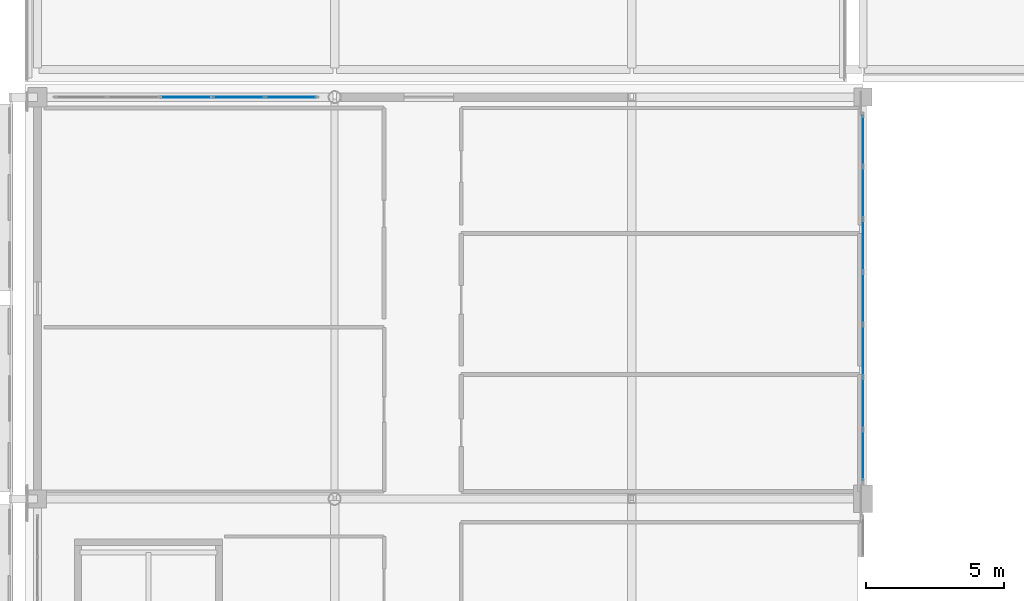
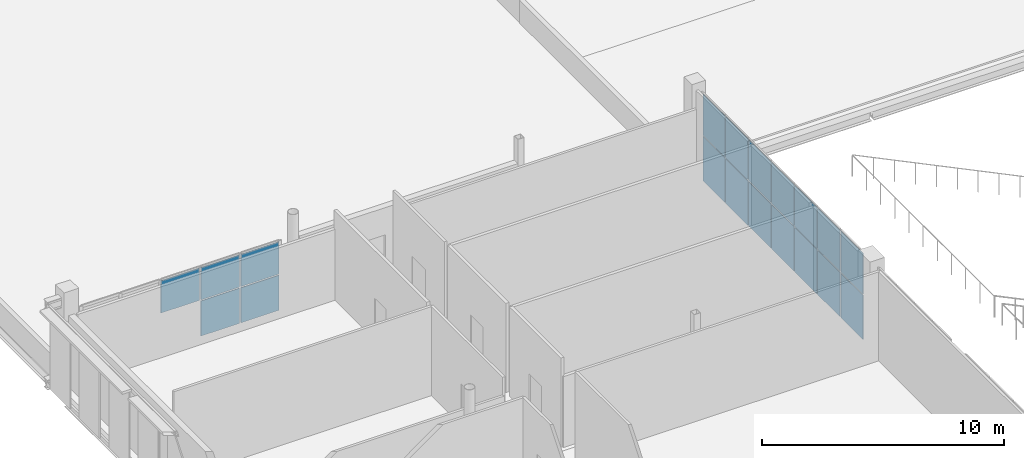
# One storey, part 56 of 104: 19 plates, 2 elements without a shape of their own.
"""IFC4 building model written with IfcOpenShell, lengths in metres."""

from ifc_helpers import new_model, si_unit, direction, frame, origin, origin_2d, place, context, subcontext, project, spatial, rectangle, extrude, material, layer, layer_set, type_object, element, aggregate, save


model = new_model("IFC4")

# Units and contexts
model_context = context("Model", 3, precision=1e-05, world=origin(), true_north=direction((0.0, 1.0)))
body_context = subcontext(model_context, "Body", "Model", "MODEL_VIEW")
ifc_project = project(units=[si_unit("LENGTHUNIT", "METRE"), si_unit("AREAUNIT", "SQUARE_METRE"), si_unit("VOLUMEUNIT", "CUBIC_METRE"), si_unit("PLANEANGLEUNIT", "RADIAN"), si_unit("MASSUNIT", "GRAM", prefix="KILO")], contexts=[model_context])

# Site, building, storey
site_placement = place(None, origin())
site = spatial("IfcSite", under=ifc_project, at=site_placement, CompositionType="ELEMENT")
building_placement = place(site_placement, origin())
building = spatial("IfcBuilding", under=site, at=building_placement, Name="Koshinbarg Plaza Stadium", CompositionType="ELEMENT")
storey_placement = place(building_placement, frame((0.0, 0.0, 19.800048828125)))
storey = spatial("IfcBuildingStorey", under=building, at=storey_placement, Name="L04", CompositionType="ELEMENT", Elevation=19.800048828125)

# Curtain wall, plates
ifc_material_1 = material(Name="Thermally broken anodised aluminium and low-E double glazing", Category="aluminium")
curtain_wall_type_1 = type_object("IfcCurtainWallType", Name="CW-SYS-02", PredefinedType="NOTDEFINED", material=ifc_material_1)
curtain_wall_1_placement = place(storey_placement, origin())
curtain_wall_1 = element("IfcCurtainWall", 1, at=curtain_wall_1_placement, inside=storey, type_object=curtain_wall_type_1, Name="L04 unitised curtain wall CW-L04-097", PredefinedType="NOTDEFINED")
ifc_material_2 = material(Name="Acoustic solar-control double glazing unit", Category="glass")
ifc_layer = layer(ifc_material_2, 0.031982421875)
ifc_layer_set = layer_set([ifc_layer], Name="Acoustic solar-control double glazing unit")
plate_type = type_object("IfcPlateType", Name="CW-PNL-32", PredefinedType="CURTAIN_PANEL", material=ifc_layer_set)
plate_1_placement = place(storey_placement, frame((30.0, 126.5, 1.8916015625), z_axis=(0.0, 0.0, 1.0), x_axis=(1.0, 0.0, 0.0)))
plate_1 = element("IfcPlate", 2, at=plate_1_placement, type_object=plate_type, Name="CW02 panel 3.2", PredefinedType="CURTAIN_PANEL", context=body_context, shape_type="SweptSolid", body=[
    extrude(rectangle(XDim=1.85205078125, YDim=0.031982421875, at=origin_2d()), origin(), (0.0, 0.0, 1.0), 1.62841796875),
])
plate_2_placement = place(storey_placement, frame((31.912109375, 126.5, 0.06005859375), z_axis=(0.0, 0.0, 1.0), x_axis=(1.0, 0.0, 0.0)))
plate_2 = element("IfcPlate", 3, at=plate_2_placement, type_object=plate_type, Name="CW02 panel 4.1", PredefinedType="CURTAIN_PANEL", context=body_context, shape_type="SweptSolid", body=[
    extrude(rectangle(XDim=1.85205078125, YDim=0.031982421875, at=origin_2d()), origin(), (0.0, 0.0, 1.0), 1.771484375),
])
plate_3_placement = place(storey_placement, frame((31.912109375, 126.5, 1.8916015625), z_axis=(0.0, 0.0, 1.0), x_axis=(1.0, 0.0, 0.0)))
plate_3 = element("IfcPlate", 4, at=plate_3_placement, type_object=plate_type, Name="CW02 panel 4.2", PredefinedType="CURTAIN_PANEL", context=body_context, shape_type="SweptSolid", body=[
    extrude(rectangle(XDim=1.85205078125, YDim=0.031982421875, at=origin_2d()), origin(), (0.0, 0.0, 1.0), 1.62841796875),
])
plate_4_placement = place(storey_placement, frame((33.80908203125, 126.5, 0.06005859375), z_axis=(0.0, 0.0, 1.0), x_axis=(1.0, 0.0, 0.0)))
plate_4 = element("IfcPlate", 5, at=plate_4_placement, type_object=plate_type, Name="CW02 panel 5.1", PredefinedType="CURTAIN_PANEL", context=body_context, shape_type="SweptSolid", body=[
    extrude(rectangle(XDim=1.822021484375, YDim=0.031982421875, at=origin_2d()), origin(), (0.0, 0.0, 1.0), 1.771484375),
])
plate_5_placement = place(storey_placement, frame((33.80908203125, 126.5, 1.8916015625), z_axis=(0.0, 0.0, 1.0), x_axis=(1.0, 0.0, 0.0)))
plate_5 = element("IfcPlate", 6, at=plate_5_placement, type_object=plate_type, Name="CW02 panel 5.2", PredefinedType="CURTAIN_PANEL", context=body_context, shape_type="SweptSolid", body=[
    extrude(rectangle(XDim=1.822021484375, YDim=0.031982421875, at=origin_2d()), origin(), (0.0, 0.0, 1.0), 1.62841796875),
])
aggregate(curtain_wall_1, [plate_1, plate_2, plate_3, plate_4, plate_5])

curtain_wall_type_2 = type_object("IfcCurtainWallType", Name="CW-SYS-16", PredefinedType="NOTDEFINED", material=ifc_material_1)
curtain_wall_2_placement = place(storey_placement, origin())
curtain_wall_2 = element("IfcCurtainWall", 7, at=curtain_wall_2_placement, inside=storey, type_object=curtain_wall_type_2, Name="L04 unitised curtain wall CW-L04-111", PredefinedType="NOTDEFINED")
plate_6_placement = place(storey_placement, frame((54.60009765625, 124.91064453125, 0.06005859375), z_axis=(0.0, 0.0, 1.0), x_axis=(0.0, -1.0, 0.0)))
plate_6 = element("IfcPlate", 8, at=plate_6_placement, type_object=plate_type, Name="CW16 panel 1.1", PredefinedType="CURTAIN_PANEL", context=body_context, shape_type="SweptSolid", body=[
    extrude(rectangle(XDim=1.818603515625, YDim=0.031982421875, at=origin_2d()), origin(), (0.0, 0.0, 1.0), 2.239501953125),
])
plate_7_placement = place(storey_placement, frame((54.60009765625, 124.91064453125, 2.359375), z_axis=(0.0, 0.0, 1.0), x_axis=(0.0, -1.0, 0.0)))
plate_7 = element("IfcPlate", 9, at=plate_7_placement, type_object=plate_type, Name="CW16 panel 1.2", PredefinedType="CURTAIN_PANEL", context=body_context, shape_type="SweptSolid", body=[
    extrude(rectangle(XDim=1.818603515625, YDim=0.031982421875, at=origin_2d()), origin(), (0.0, 0.0, 1.0), 2.060302734375),
])
plate_8_placement = place(storey_placement, frame((54.60009765625, 123.01708984375, 0.06005859375), z_axis=(0.0, 0.0, 1.0), x_axis=(0.0, -1.0, 0.0)))
plate_8 = element("IfcPlate", 10, at=plate_8_placement, type_object=plate_type, Name="CW16 panel 2.1", PredefinedType="CURTAIN_PANEL", context=body_context, shape_type="SweptSolid", body=[
    extrude(rectangle(XDim=1.8486328125, YDim=0.031982421875, at=origin_2d()), origin(), (0.0, 0.0, 1.0), 2.239501953125),
])
plate_9_placement = place(storey_placement, frame((54.60009765625, 123.01708984375, 2.359375), z_axis=(0.0, 0.0, 1.0), x_axis=(0.0, -1.0, 0.0)))
plate_9 = element("IfcPlate", 11, at=plate_9_placement, type_object=plate_type, Name="CW16 panel 2.2", PredefinedType="CURTAIN_PANEL", context=body_context, shape_type="SweptSolid", body=[
    extrude(rectangle(XDim=1.8486328125, YDim=0.031982421875, at=origin_2d()), origin(), (0.0, 0.0, 1.0), 2.060302734375),
])
plate_10_placement = place(storey_placement, frame((54.60009765625, 121.108642578125, 0.06005859375), z_axis=(0.0, 0.0, 1.0), x_axis=(0.0, -1.0, 0.0)))
plate_10 = element("IfcPlate", 12, at=plate_10_placement, type_object=plate_type, Name="CW16 panel 3.1", PredefinedType="CURTAIN_PANEL", context=body_context, shape_type="SweptSolid", body=[
    extrude(rectangle(XDim=1.8486328125, YDim=0.031982421875, at=origin_2d()), origin(), (0.0, 0.0, 1.0), 2.239501953125),
])
plate_11_placement = place(storey_placement, frame((54.60009765625, 121.108642578125, 2.359375), z_axis=(0.0, 0.0, 1.0), x_axis=(0.0, -1.0, 0.0)))
plate_11 = element("IfcPlate", 13, at=plate_11_placement, type_object=plate_type, Name="CW16 panel 3.2", PredefinedType="CURTAIN_PANEL", context=body_context, shape_type="SweptSolid", body=[
    extrude(rectangle(XDim=1.8486328125, YDim=0.031982421875, at=origin_2d()), origin(), (0.0, 0.0, 1.0), 2.060302734375),
])
plate_12_placement = place(storey_placement, frame((54.60009765625, 119.199951171875, 0.06005859375), z_axis=(0.0, 0.0, 1.0), x_axis=(0.0, -1.0, 0.0)))
plate_12 = element("IfcPlate", 14, at=plate_12_placement, type_object=plate_type, Name="CW16 panel 4.1", PredefinedType="CURTAIN_PANEL", context=body_context, shape_type="SweptSolid", body=[
    extrude(rectangle(XDim=1.8486328125, YDim=0.031982421875, at=origin_2d()), origin(), (0.0, 0.0, 1.0), 2.239501953125),
])
plate_13_placement = place(storey_placement, frame((54.60009765625, 119.199951171875, 2.359375), z_axis=(0.0, 0.0, 1.0), x_axis=(0.0, -1.0, 0.0)))
plate_13 = element("IfcPlate", 15, at=plate_13_placement, type_object=plate_type, Name="CW16 panel 4.2", PredefinedType="CURTAIN_PANEL", context=body_context, shape_type="SweptSolid", body=[
    extrude(rectangle(XDim=1.8486328125, YDim=0.031982421875, at=origin_2d()), origin(), (0.0, 0.0, 1.0), 2.060302734375),
])
plate_14_placement = place(storey_placement, frame((54.60009765625, 117.29150390625, 0.06005859375), z_axis=(0.0, 0.0, 1.0), x_axis=(0.0, -1.0, 0.0)))
plate_14 = element("IfcPlate", 16, at=plate_14_placement, type_object=plate_type, Name="CW16 panel 5.1", PredefinedType="CURTAIN_PANEL", context=body_context, shape_type="SweptSolid", body=[
    extrude(rectangle(XDim=1.8486328125, YDim=0.031982421875, at=origin_2d()), origin(), (0.0, 0.0, 1.0), 2.239501953125),
])
plate_15_placement = place(storey_placement, frame((54.60009765625, 117.29150390625, 2.359375), z_axis=(0.0, 0.0, 1.0), x_axis=(0.0, -1.0, 0.0)))
plate_15 = element("IfcPlate", 17, at=plate_15_placement, type_object=plate_type, Name="CW16 panel 5.2", PredefinedType="CURTAIN_PANEL", context=body_context, shape_type="SweptSolid", body=[
    extrude(rectangle(XDim=1.8486328125, YDim=0.031982421875, at=origin_2d()), origin(), (0.0, 0.0, 1.0), 2.060302734375),
])
plate_16_placement = place(storey_placement, frame((54.60009765625, 115.3828125, 0.06005859375), z_axis=(0.0, 0.0, 1.0), x_axis=(0.0, -1.0, 0.0)))
plate_16 = element("IfcPlate", 18, at=plate_16_placement, type_object=plate_type, Name="CW16 panel 6.1", PredefinedType="CURTAIN_PANEL", context=body_context, shape_type="SweptSolid", body=[
    extrude(rectangle(XDim=1.8486328125, YDim=0.031982421875, at=origin_2d()), origin(), (0.0, 0.0, 1.0), 2.239501953125),
])
plate_17_placement = place(storey_placement, frame((54.60009765625, 115.3828125, 2.359375), z_axis=(0.0, 0.0, 1.0), x_axis=(0.0, -1.0, 0.0)))
plate_17 = element("IfcPlate", 19, at=plate_17_placement, type_object=plate_type, Name="CW16 panel 6.2", PredefinedType="CURTAIN_PANEL", context=body_context, shape_type="SweptSolid", body=[
    extrude(rectangle(XDim=1.8486328125, YDim=0.031982421875, at=origin_2d()), origin(), (0.0, 0.0, 1.0), 2.060302734375),
])
plate_18_placement = place(storey_placement, frame((54.60009765625, 113.4892578125, 0.06005859375), z_axis=(0.0, 0.0, 1.0), x_axis=(0.0, -1.0, 0.0)))
plate_18 = element("IfcPlate", 20, at=plate_18_placement, type_object=plate_type, Name="CW16 panel 7.1", PredefinedType="CURTAIN_PANEL", context=body_context, shape_type="SweptSolid", body=[
    extrude(rectangle(XDim=1.818603515625, YDim=0.031982421875, at=origin_2d()), origin(), (0.0, 0.0, 1.0), 2.239501953125),
])
plate_19_placement = place(storey_placement, frame((54.60009765625, 113.4892578125, 2.359375), z_axis=(0.0, 0.0, 1.0), x_axis=(0.0, -1.0, 0.0)))
plate_19 = element("IfcPlate", 21, at=plate_19_placement, type_object=plate_type, Name="CW16 panel 7.2", PredefinedType="CURTAIN_PANEL", context=body_context, shape_type="SweptSolid", body=[
    extrude(rectangle(XDim=1.818603515625, YDim=0.031982421875, at=origin_2d()), origin(), (0.0, 0.0, 1.0), 2.060302734375),
])
aggregate(curtain_wall_2, [plate_6, plate_7, plate_8, plate_9, plate_10, plate_11, plate_12, plate_13, plate_14, plate_15, plate_16, plate_17, plate_18, plate_19])

save(model, "model.ifc")
